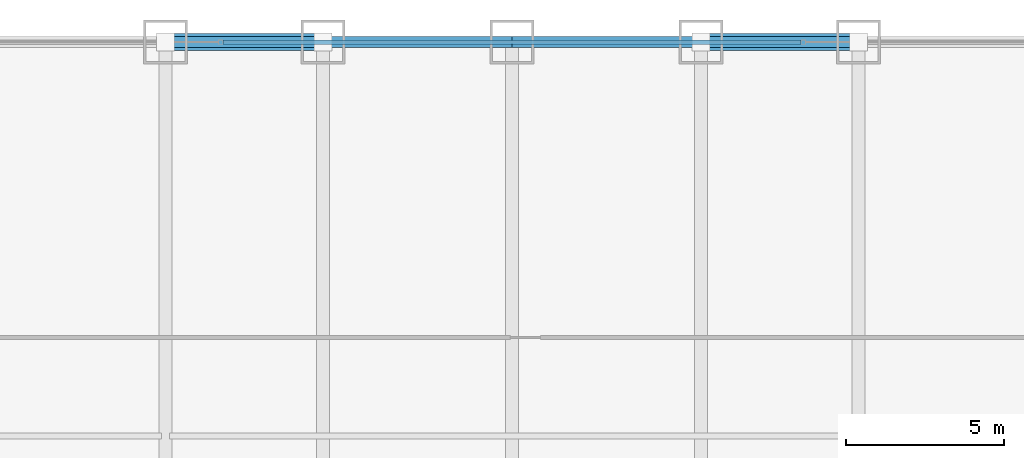
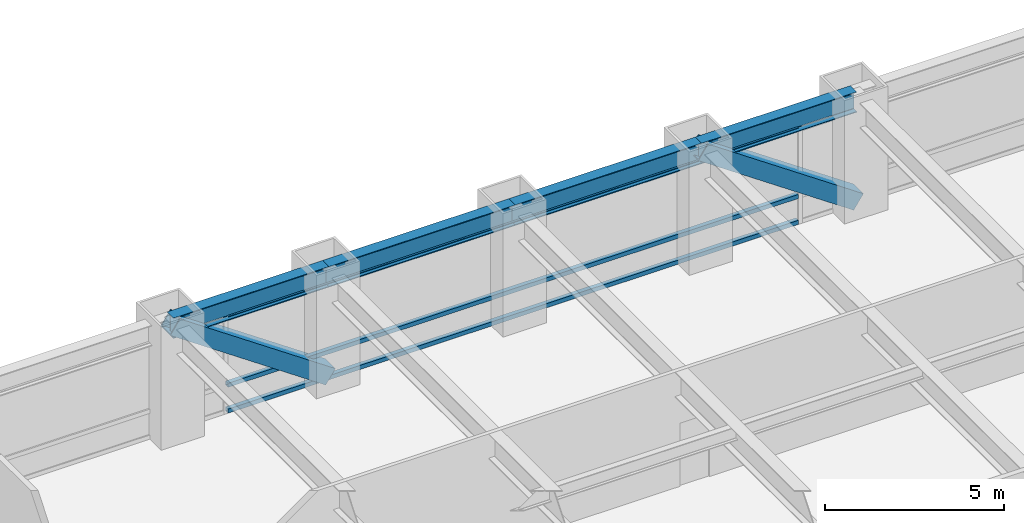
# One storey, part 20 of 27: 5 members, 4 beams, 1 element without a shape of its own.
"""IFC4 building model written with IfcOpenShell, lengths in metres."""

from ifc_helpers import new_model, si_unit, direction, frame, origin, origin_2d, place, context, subcontext, project, spatial, hollow_rectangle, i_section, extrude, source, transform, mapped, material, material_profile, profile_set, type_object, element, aggregate, save


model = new_model("IFC4")

# Units and contexts
model_context = context("Model", 3, precision=1e-05, world=origin(), true_north=direction((0.0, 1.0)))
body_context = subcontext(model_context, "Body", "Model", "MODEL_VIEW")
ifc_project = project(units=[si_unit("LENGTHUNIT", "METRE"), si_unit("AREAUNIT", "SQUARE_METRE"), si_unit("VOLUMEUNIT", "CUBIC_METRE"), si_unit("PLANEANGLEUNIT", "RADIAN"), si_unit("MASSUNIT", "GRAM", prefix="KILO")], contexts=[model_context])

# Site, building, storey
site_placement = place(None, origin())
site = spatial("IfcSite", under=ifc_project, at=site_placement, CompositionType="ELEMENT")
building_placement = place(site_placement, origin())
building = spatial("IfcBuilding", under=site, at=building_placement, Name="Khorayat Bourse Tower", CompositionType="ELEMENT")
storey_placement = place(building_placement, frame((0.0, 0.0, 53.60009765625)))
storey = spatial("IfcBuildingStorey", under=building, at=storey_placement, Name="L11", CompositionType="ELEMENT", Elevation=53.60009765625)

# Beams
ifc_material_1 = material(Name="Steel ASTM A992 Grade 50", Category="steel")
ifc_material_profile_1 = material_profile(ifc_material_1, i_section(OverallWidth=0.35498046875, OverallDepth=0.695068359375, WebThickness=0.015380859375, FlangeThickness=0.02490234375, FilletRadius=0.01806640625, at=origin_2d()), Name="W690X217")
ifc_profile_set_1 = profile_set([ifc_material_profile_1], Name="Steel ASTM A992 Grade 50")
beam_type = type_object("IfcBeamType", Name="BM-SPAN-690", PredefinedType="SPANDREL", material=ifc_profile_set_1)
shared_shape_1 = source(origin(), body_context, "Body", "SweptSolid", [
    extrude(i_section(OverallWidth=0.35498046875, OverallDepth=0.695068359375, WebThickness=0.015380859375, FlangeThickness=0.02490234375, FilletRadius=0.01806640625, at=origin_2d()), origin(), (0.0, 0.0, 1.0), 5.0),
])
for number, where, z_axis, x_axis, name in (
    (1, (6.0, 32.0, 3.59228515625), (1.0, 0.0, 0.0), (0.0, 1.0, 0.0), "L11 BM-SPAN-690 BM-L11-SPN-046"),
    (2, (-11.0, 32.0, 3.59228515625), (1.0, 0.0, 0.0), (0.0, 1.0, 0.0), "L11 BM-SPAN-690 BM-L11-SPN-049"),
):
    element("IfcBeam", number, at=place(storey_placement, frame(where, z_axis=z_axis, x_axis=x_axis)), inside=storey, type_object=beam_type, Name=name, PredefinedType="SPANDREL", context=body_context, shape_type="MappedRepresentation", body=[
        mapped(shared_shape_1, transform((0.0, 0.0, 0.0), scale=1.0)),
    ])
shared_shape_2 = source(origin(), body_context, "Body", "SweptSolid", [
    extrude(i_section(OverallWidth=0.35498046875, OverallDepth=0.695068359375, WebThickness=0.015380859375, FlangeThickness=0.02490234375, FilletRadius=0.01806640625, at=origin_2d()), origin(), (0.0, 0.0, 1.0), 6.0),
])
for number, where, z_axis, x_axis, name in (
    (3, (0.0, 32.0, 3.59228515625), (1.0, 0.0, 0.0), (0.0, 1.0, 0.0), "L11 BM-SPAN-690 BM-L11-SPN-047"),
    (4, (-6.0, 32.0, 3.59228515625), (1.0, 0.0, 0.0), (0.0, 1.0, 0.0), "L11 BM-SPAN-690 BM-L11-SPN-048"),
):
    element("IfcBeam", number, at=place(storey_placement, frame(where, z_axis=z_axis, x_axis=x_axis)), inside=storey, type_object=beam_type, Name=name, PredefinedType="SPANDREL", context=body_context, shape_type="MappedRepresentation", body=[
        mapped(shared_shape_2, transform((0.0, 0.0, 0.0), scale=1.0)),
    ])

# Members
ifc_material_2 = material(Name="Steel EN 10025-4 S460M", Category="steel")
ifc_material_profile_2 = material_profile(ifc_material_2, hollow_rectangle(XDim=0.550048828125, YDim=0.550048828125, WallThickness=0.031982421875, at=origin_2d()), Name="HSS 550x550x32")
ifc_profile_set_2 = profile_set([ifc_material_profile_2], Name="Steel EN 10025-4 S460M")
member_type_1 = type_object("IfcMemberType", Name="MBR-TUBE-550", PredefinedType="BRACE", material=ifc_profile_set_2)
shared_shape_3 = source(origin(), body_context, "Body", "SweptSolid", [
    extrude(hollow_rectangle(XDim=0.550048828125, YDim=0.550048828125, WallThickness=0.031982421875, at=origin_2d()), origin(), (0.0, 0.0, 1.0), 6.069091796875),
])
for number, where, z_axis, x_axis, name in (
    (5, (-11.0, 32.0, 3.68994140625), (0.823854080622, 0.0, -0.566801952928), (0.0, 1.0, 0.0), "L11 Perimeter Tube Brace 03"),
    (6, (6.0, 32.0, 3.68994140625), (0.823854080622, 0.0, -0.566801952928), (0.0, 1.0, 0.0), "L11 Perimeter Tube Brace 04"),
):
    element("IfcMember", number, at=place(storey_placement, frame(where, z_axis=z_axis, x_axis=x_axis)), inside=storey, type_object=member_type_1, Name=name, PredefinedType="BRACE", context=body_context, shape_type="MappedRepresentation", body=[
        mapped(shared_shape_3, transform((0.0, 0.0, 0.0), scale=1.0)),
    ])

# Curtain wall, members
ifc_material_3 = material(Name="Aluminium EN AW-6063 T6", Category="aluminium")
curtain_wall_type = type_object("IfcCurtainWallType", Name="CW-SYS-02", PredefinedType="NOTDEFINED", material=ifc_material_3)
curtain_wall_placement = place(storey_placement, origin())
curtain_wall = element("IfcCurtainWall", 7, at=curtain_wall_placement, inside=storey, type_object=curtain_wall_type, Name="L11 Curtain Wall CW-L11-N1", PredefinedType="NOTDEFINED")
ifc_material_profile_3 = material_profile(ifc_material_3, hollow_rectangle(XDim=0.139892578125, YDim=0.139892578125, WallThickness=0.006103515625, at=origin_2d()), Name="ALU 140x140x6")
ifc_profile_set_3 = profile_set([ifc_material_profile_3], Name="Aluminium EN AW-6063 T6")
member_type_2 = type_object("IfcMemberType", Name="CWT-HORZ-140", PredefinedType="USERDEFINED", material=ifc_profile_set_3)
shared_shape_4 = source(origin(), body_context, "Body", "SweptSolid", [
    extrude(hollow_rectangle(XDim=0.139892578125, YDim=0.139892578125, WallThickness=0.006103515625, at=origin_2d()), origin(), (0.0, 0.0, 1.0), 18.35986328125),
])
member_1_placement = place(storey_placement, frame((-9.179931640625, 32.0, 0.06982421875), z_axis=(1.0, 0.0, 0.0), x_axis=(0.0, 1.0, 0.0)))
member_1 = element("IfcMember", 8, at=member_1_placement, type_object=member_type_2, Name="CW-L11-N1 Horizontal Transom 2-1", ObjectType="TRANSOM", PredefinedType="USERDEFINED", context=body_context, shape_type="MappedRepresentation", body=[
    mapped(shared_shape_4, transform((0.0, 0.0, 0.0), scale=1.0)),
])
member_2_placement = place(storey_placement, frame((-9.179931640625, 32.0, 0.949951171875), z_axis=(1.0, 0.0, 0.0), x_axis=(0.0, 1.0, 0.0)))
member_2 = element("IfcMember", 9, at=member_2_placement, type_object=member_type_2, Name="CW-L11-N1 Horizontal Transom 2-2", ObjectType="TRANSOM", PredefinedType="USERDEFINED", context=body_context, shape_type="MappedRepresentation", body=[
    mapped(shared_shape_4, transform((0.0, 0.0, 0.0), scale=1.0)),
])
member_3_placement = place(storey_placement, frame((-9.179931640625, 32.0, 3.219970703125), z_axis=(1.0, 0.0, 0.0), x_axis=(0.0, 1.0, 0.0)))
member_3 = element("IfcMember", 10, at=member_3_placement, type_object=member_type_2, Name="CW-L11-N1 Horizontal Transom 2-3", ObjectType="TRANSOM", PredefinedType="USERDEFINED", context=body_context, shape_type="MappedRepresentation", body=[
    mapped(shared_shape_4, transform((0.0, 0.0, 0.0), scale=1.0)),
])
aggregate(curtain_wall, [member_1, member_2, member_3])

save(model, "model.ifc")
